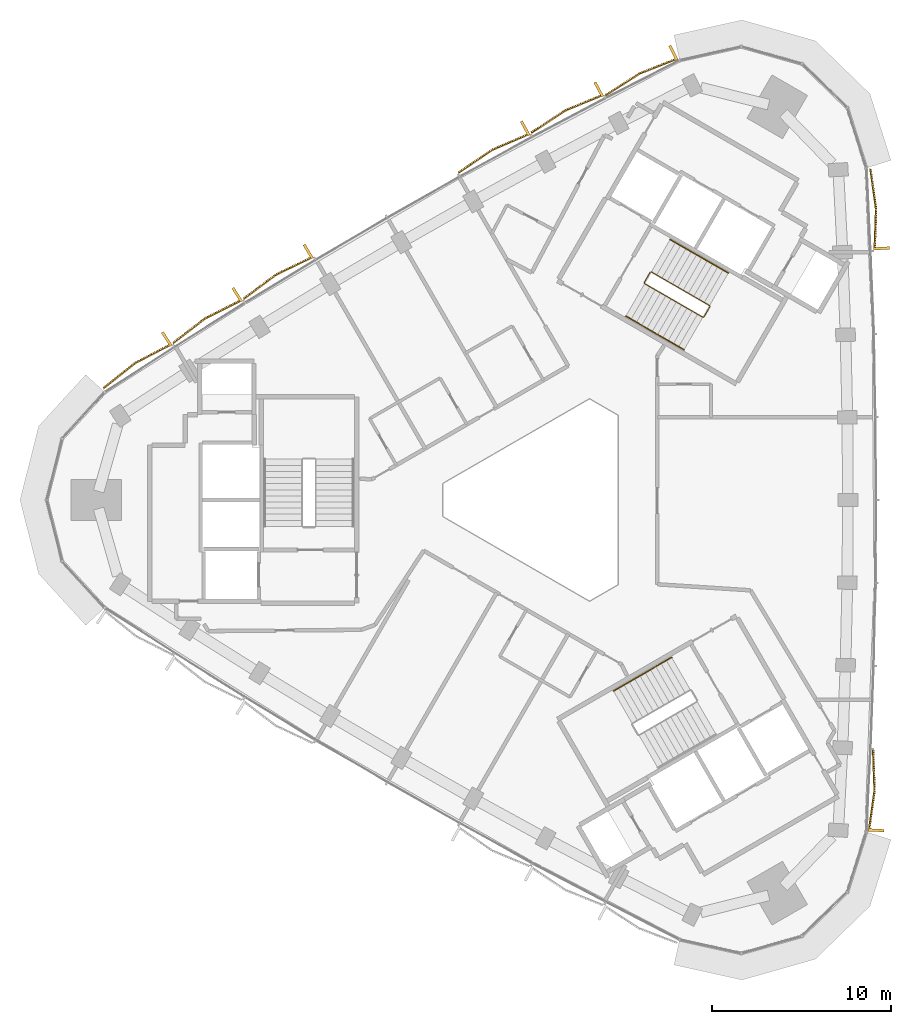
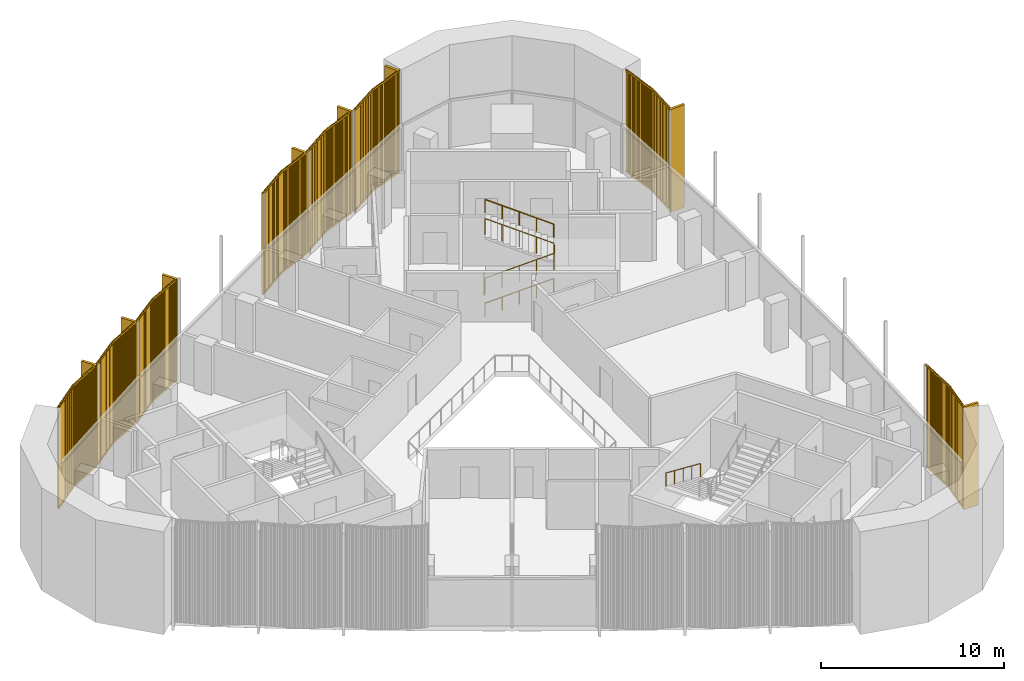
# One storey, part 13 of 14: 8 coverings, 4 railings.
"""IFC4 building model written with IfcOpenShell, lengths in metres."""

import ifcopenshell
import ifcopenshell.guid

model = None  # the IFC model being written
_history = None  # IfcOwnerHistory: only IFC2X3 demands one
_inside = {}  # id of a spatial element -> (the spatial element, [elements in it])
_under = {}  # id of a project, library or spatial element -> (it, [spatial elements below it])
_declared = {}  # id of a project -> (the project, [libraries it declares])
_typed = {}  # id of a type object -> (the type object, [elements of that type])
_made_of = {}  # id of a material, layer set ... -> (it, [elements and type objects made of it])


def new_model(schema):
    """Start an empty IFC model of exactly this schema.

    Asked for "IFC4X3", IfcOpenShell would pick the latest addendum, in which some entities
    have other attributes; the version numbers below select the first issue.
    IFC2X3 requires an IfcOwnerHistory on every rooted entity: one is made here for all.
    """
    global model, _history
    if schema == "IFC4X3":
        model = ifcopenshell.file(schema_version=(4, 3, 0, 0))
    else:
        model = ifcopenshell.file(schema=schema)
    _inside.clear()
    _under.clear()
    _declared.clear()
    _typed.clear()
    _made_of.clear()
    _history = None
    if model.schema == "IFC2X3":
        org = make("IfcOrganization", Name="unknown")
        user = make(
            "IfcPersonAndOrganization",
            ThePerson=make("IfcPerson", FamilyName="unknown"),
            TheOrganization=org,
        )
        app = make(
            "IfcApplication",
            ApplicationDeveloper=org,
            Version="unknown",
            ApplicationFullName="unknown",
            ApplicationIdentifier="unknown",
        )
        _history = make(
            "IfcOwnerHistory",
            OwningUser=user,
            OwningApplication=app,
            ChangeAction="ADDED",
            CreationDate=0,
        )
    return model


def make(cls, **values):
    """One entity of the class cls with the attributes given. An attribute that is None is left unset."""
    return model.create_entity(
        cls, **{name: value for name, value in values.items() if value is not None}
    )


def rooted(cls, **values):
    """An entity with a GlobalId (a new one), such as an element, a storey or a relation."""
    return make(cls, GlobalId=ifcopenshell.guid.new(), OwnerHistory=_history, **values)


def si_unit(unit_type, name, prefix=None):
    """IfcSIUnit, for example si_unit("LENGTHUNIT", "METRE", prefix="MILLI")."""
    return make("IfcSIUnit", UnitType=unit_type, Prefix=prefix, Name=name)


def assignment(units):
    """IfcUnitAssignment: the units of a project."""
    return None if units is None else make("IfcUnitAssignment", Units=units)


def point(xyz):
    """IfcCartesianPoint."""
    return None if xyz is None else make("IfcCartesianPoint", Coordinates=xyz)


def direction(xyz):
    """IfcDirection."""
    return None if xyz is None else make("IfcDirection", DirectionRatios=xyz)


def frame(location, z_axis=None, x_axis=None):
    """IfcAxis2Placement3D, a coordinate frame: its origin and axes. An axis left out is left unset."""
    return make(
        "IfcAxis2Placement3D",
        Location=point(location),
        Axis=direction(z_axis),
        RefDirection=direction(x_axis),
    )


def frame_2d(location, x_axis=None):
    """IfcAxis2Placement2D, a coordinate frame in the plane: its origin and x axis."""
    return make(
        "IfcAxis2Placement2D", Location=point(location), RefDirection=direction(x_axis)
    )


def origin():
    """The frame at (0, 0, 0) with its axes left unset."""
    return frame((0.0, 0.0, 0.0))


def origin_2d():
    """The frame at (0, 0) in the plane with its x axis left unset."""
    return frame_2d((0.0, 0.0))


def place(relative_to, where):
    """IfcLocalPlacement: puts the frame where relative to a parent placement (None: the world)."""
    return make(
        "IfcLocalPlacement", PlacementRelTo=relative_to, RelativePlacement=where
    )


def context(
    kind, dimensions, precision=None, world=None, true_north=None, identifier=None
):
    """IfcGeometricRepresentationContext, for example the 3D "Model" context."""
    return make(
        "IfcGeometricRepresentationContext",
        ContextIdentifier=identifier,
        ContextType=kind,
        CoordinateSpaceDimension=dimensions,
        Precision=precision,
        WorldCoordinateSystem=world,
        TrueNorth=true_north,
    )


def subcontext(parent, identifier, kind, view, scale=None):
    """IfcGeometricRepresentationSubContext, for example "Body" below "Model"."""
    return make(
        "IfcGeometricRepresentationSubContext",
        ContextIdentifier=identifier,
        ContextType=kind,
        ParentContext=parent,
        TargetScale=scale,
        TargetView=view,
    )


def project(units=None, contexts=None):
    """IfcProject with its units and contexts."""
    return rooted(
        "IfcProject",
        Name="project",
        RepresentationContexts=contexts,
        UnitsInContext=assignment(units),
    )


def spatial(cls, under=None, at=None, **own):
    """A site, building, storey or space (cls), placed at a placement, below another one or the project."""
    s = rooted(cls, ObjectPlacement=at, **own)
    if under is not None:
        _under.setdefault(under.id(), (under, []))[1].append(s)
    return s


def profile(cls, at=None, kind="AREA", **sizes):
    """A parametric profile (cls). Its sizes go by their IFC names, for example OverallWidth=200.0."""
    return make(cls, ProfileType=kind, Position=at, **sizes)


def rectangle(**sizes):
    """IfcRectangleProfileDef."""
    return profile("IfcRectangleProfileDef", **sizes)


def circle(**sizes):
    """IfcCircleProfileDef."""
    return profile("IfcCircleProfileDef", **sizes)


def extrude(swept, where, along, depth):
    """IfcExtrudedAreaSolid: the profile swept, set in the frame where, extruded along a direction by depth."""
    return make(
        "IfcExtrudedAreaSolid",
        SweptArea=swept,
        Position=where,
        ExtrudedDirection=direction(along),
        Depth=depth,
    )


def shape(context_of_items, identifier, shape_type, items):
    """IfcShapeRepresentation: the items that make up one representation, for example the "Body"."""
    return make(
        "IfcShapeRepresentation",
        ContextOfItems=context_of_items,
        RepresentationIdentifier=identifier,
        RepresentationType=shape_type,
        Items=items,
    )


def source(mapping_origin, context_of_items, identifier, shape_type, items):
    """IfcRepresentationMap: a shape defined once, which mapped items show again and again."""
    return make(
        "IfcRepresentationMap",
        MappingOrigin=mapping_origin,
        MappedRepresentation=shape(context_of_items, identifier, shape_type, items),
    )


def transform(
    local_origin,
    x_axis=None,
    y_axis=None,
    z_axis=None,
    scale=None,
    scale2=None,
    scale3=None,
    uniform=True,
):
    """IfcCartesianTransformationOperator3D, or its non-uniform kind. x_axis, y_axis, z_axis: its Axis1, 2, 3."""
    if uniform:
        return make(
            "IfcCartesianTransformationOperator3D",
            Axis1=direction(x_axis),
            Axis2=direction(y_axis),
            LocalOrigin=point(local_origin),
            Scale=scale,
            Axis3=direction(z_axis),
        )
    return make(
        "IfcCartesianTransformationOperator3DnonUniform",
        Axis1=direction(x_axis),
        Axis2=direction(y_axis),
        LocalOrigin=point(local_origin),
        Scale=scale,
        Axis3=direction(z_axis),
        Scale2=scale2,
        Scale3=scale3,
    )


def mapped(mapping_source, mapping_target):
    """IfcMappedItem: shows the shape of a source again, moved by a transform."""
    return make(
        "IfcMappedItem", MappingSource=mapping_source, MappingTarget=mapping_target
    )


def material(Name=None, Category=None):
    """IfcMaterial."""
    return make("IfcMaterial", Name=Name, Category=Category)


def made_of(thing, what):
    """Note that an element or type object is made of a material, layer set ...; save() writes the relation."""
    if what is not None:
        _made_of.setdefault(what.id(), (what, []))[1].append(thing)
    return thing


def type_object(cls, material=None, **own):
    """A type object (cls), such as IfcWallType, which elements share."""
    return made_of(rooted(cls, **own), material)


def element(
    cls,
    number,
    at=None,
    inside=None,
    cuts=None,
    type_object=None,
    material=None,
    context=None,
    identifier="Body",
    shape_type=None,
    held_by="IfcProductDefinitionShape",
    body=None,
    shapes=None,
    **own,
):
    """One element of the class cls, such as IfcWall. Its Tag is "e" and its number.

    at: its placement. inside: the storey or other place that contains it. cuts: it is an
    opening in that element (IfcRelVoidsElement). A single representation is given by context,
    identifier, shape_type and body (its items); several are given by shapes. held_by: the class
    of the entity that holds the representations. save() writes the other relations.
    """
    e = rooted(cls, Tag="e%d" % number, ObjectPlacement=at, **own)
    if body is not None:
        shapes = [shape(context, identifier, shape_type, body)]
    if shapes is not None:
        e.Representation = make(held_by, Representations=shapes)
    if inside is not None:
        _inside.setdefault(inside.id(), (inside, []))[1].append(e)
    if cuts is not None:
        rooted(
            "IfcRelVoidsElement", RelatingBuildingElement=cuts, RelatedOpeningElement=e
        )
    if type_object is not None:
        _typed.setdefault(type_object.id(), (type_object, []))[1].append(e)
    return made_of(e, material)


def aggregate(whole, parts):
    """IfcRelAggregates: a whole, such as a stair, and the parts it consists of."""
    return rooted("IfcRelAggregates", RelatingObject=whole, RelatedObjects=parts)


def save(model, path):
    """Write the relations noted so far, then the file.

    IfcRelAggregates (storeys below a building ...), IfcRelContainedInSpatialStructure (elements
    in a storey), IfcRelDefinesByType, IfcRelAssociatesMaterial and IfcRelDeclares: one each for
    every whole, place, type object, material and project.
    """
    for whole, parts in _under.values():
        aggregate(whole, parts)
    for where, things in _inside.values():
        rooted(
            "IfcRelContainedInSpatialStructure",
            RelatedElements=things,
            RelatingStructure=where,
        )
    for kind, things in _typed.values():
        rooted("IfcRelDefinesByType", RelatedObjects=things, RelatingType=kind)
    for what, things in _made_of.values():
        rooted("IfcRelAssociatesMaterial", RelatedObjects=things, RelatingMaterial=what)
    for by, libraries in _declared.values():
        rooted("IfcRelDeclares", RelatingContext=by, RelatedDefinitions=libraries)
    model.write(path)


model = new_model("IFC4")

# Units and contexts
model_context = context("Model", 3, precision=1e-05, world=origin(), true_north=direction((0.0, 1.0)))
body_context = subcontext(model_context, "Body", "Model", "MODEL_VIEW")
ifc_project = project(units=[si_unit("LENGTHUNIT", "METRE"), si_unit("AREAUNIT", "SQUARE_METRE"), si_unit("VOLUMEUNIT", "CUBIC_METRE"), si_unit("PLANEANGLEUNIT", "RADIAN"), si_unit("MASSUNIT", "GRAM", prefix="KILO")], contexts=[model_context])

# Site, building, storey
site_placement = place(None, origin())
site = spatial("IfcSite", under=ifc_project, at=site_placement, CompositionType="ELEMENT")
building_placement = place(site_placement, origin())
building = spatial("IfcBuilding", under=site, at=building_placement, Name="Tamra Quay Hotel Tower", CompositionType="ELEMENT")
storey_placement = place(building_placement, frame((0.0, 0.0, 221.39990234375)))
storey = spatial("IfcBuildingStorey", under=building, at=storey_placement, Name="L55", CompositionType="ELEMENT", Elevation=221.39990234375)

# Railings
ifc_material_1 = material(Name="Stair guard 1100")
railing_type_1 = type_object("IfcRailingType", Name="Stair guard 1100", PredefinedType="GUARDRAIL", material=ifc_material_1)
railing_1_placement = place(storey_placement, frame((5.595458984375, 12.751953125, 0.0)))
element("IfcRailing", 1, at=railing_1_placement, inside=storey, type_object=railing_type_1, Name="GR", PredefinedType="GUARDRAIL", context=body_context, shape_type="SweptSolid", body=[
    extrude(circle(Radius=0.02392578125, at=origin_2d()), frame((0.0, 0.0, 1.076171875), z_axis=(-0.499765215335, -0.866160914346, 0.0), x_axis=(0.866160914346, -0.499765215335, 0.0)), (0.0, 0.0, 1.0), 0.658935546875),
    extrude(circle(Radius=0.02392578125, at=origin_2d()), frame((-0.329345703125, -0.57080078125, 1.076171875), z_axis=(0.110378772244, -0.410609032747, 0.905105932399), x_axis=(0.965715946433, 0.259601060869, 0.0)), (0.0, 0.0, 1.0), 0.165771484375),
    extrude(circle(Radius=0.02392578125, at=origin_2d()), frame((-0.31103515625, -0.638916015625, 1.22607421875), z_axis=(0.793078462799, -0.457933869594, 0.401650498471), x_axis=(0.500040788363, 0.866001853331, 0.0)), (0.0, 0.0, 1.0), 4.10791015625),
    extrude(circle(Radius=0.02392578125, at=origin_2d()), frame((2.94677734375, -2.52001953125, 2.8759765625), z_axis=(0.965948051503, 0.258736085224, 0.0), x_axis=(-0.258736085224, 0.965948051503, 0.0)), (0.0, 0.0, 1.0), 0.07080078125),
    extrude(circle(Radius=0.02392578125, at=origin_2d()), frame((3.01513671875, -2.501708984375, 2.8759765625), z_axis=(0.500043078269, 0.866000531106, 0.0), x_axis=(-0.866000531106, 0.500043078269, 0.0)), (0.0, 0.0, 1.0), 0.6591796875),
    extrude(circle(Radius=0.02392578125, at=origin_2d()), frame((3.3447265625, -1.930908203125, 2.8759765625), z_axis=(-0.110378772244, 0.410609032747, 0.905105932399), x_axis=(-0.965715946433, -0.259601060869, 0.0)), (0.0, 0.0, 1.0), 0.165771484375),
    extrude(circle(Radius=0.02392578125, at=origin_2d()), frame((3.326416015625, -1.86279296875, 3.0263671875), z_axis=(-0.793100512587, 0.457912285461, 0.401631567183), x_axis=(-0.500012686397, -0.866018079166, 0.0)), (0.0, 0.0, 1.0), 4.10791015625),
    extrude(circle(Radius=0.02099609375, at=origin_2d()), origin(), (0.0, 0.0, 1.0), 1.052001953125),
    extrude(circle(Radius=0.02099609375, at=origin_2d()), frame((-0.329345703125, -0.57080078125, 0.0)), (0.0, 0.0, 1.0), 1.052001953125),
    extrude(circle(Radius=0.02099609375, at=origin_2d()), frame((-0.31103515625, -0.638916015625, 0.150146484375)), (0.0, 0.0, 1.0), 1.052001953125),
    extrude(circle(Radius=0.02099609375, at=origin_2d()), frame((0.50341796875, -1.109130859375, 0.5625)), (0.0, 0.0, 1.0), 1.052001953125),
    extrude(circle(Radius=0.02099609375, at=origin_2d()), frame((1.31787109375, -1.57958984375, 0.97509765625)), (0.0, 0.0, 1.0), 1.052001953125),
    extrude(circle(Radius=0.02099609375, at=origin_2d()), frame((2.13232421875, -2.0498046875, 1.3876953125)), (0.0, 0.0, 1.0), 1.052001953125),
    extrude(circle(Radius=0.02099609375, at=origin_2d()), frame((2.94677734375, -2.52001953125, 1.800048828125)), (0.0, 0.0, 1.0), 1.052001953125),
    extrude(circle(Radius=0.02099609375, at=origin_2d()), frame((3.01513671875, -2.501708984375, 1.800048828125)), (0.0, 0.0, 1.0), 1.052001953125),
    extrude(circle(Radius=0.02099609375, at=origin_2d()), frame((3.3447265625, -1.930908203125, 1.800048828125)), (0.0, 0.0, 1.0), 1.052001953125),
    extrude(circle(Radius=0.02099609375, at=origin_2d()), frame((3.326416015625, -1.86279296875, 1.9501953125)), (0.0, 0.0, 1.0), 1.052001953125),
    extrude(circle(Radius=0.02099609375, at=origin_2d()), frame((2.511962890625, -1.392578125, 2.36279296875)), (0.0, 0.0, 1.0), 1.052001953125),
    extrude(circle(Radius=0.02099609375, at=origin_2d()), frame((1.697265625, -0.92236328125, 2.775146484375)), (0.0, 0.0, 1.0), 1.052001953125),
    extrude(circle(Radius=0.02099609375, at=origin_2d()), frame((0.8828125, -0.451904296875, 3.1875)), (0.0, 0.0, 1.0), 1.052001953125),
    extrude(circle(Radius=0.02099609375, at=origin_2d()), frame((0.068359375, 0.018310546875, 3.60009765625)), (0.0, 0.0, 1.0), 1.052001953125),
])
ifc_material_2 = material(Name="Stair handrail 900")
railing_type_2 = type_object("IfcRailingType", Name="Stair handrail 900", PredefinedType="HANDRAIL", material=ifc_material_2)
railing_2_placement = place(storey_placement, frame((4.234375, 10.294189453125, 0.150146484375)))
element("IfcRailing", 2, at=railing_2_placement, inside=storey, type_object=railing_type_2, Name="HR", PredefinedType="HANDRAIL", context=body_context, shape_type="SweptSolid", body=[
    extrude(circle(Radius=0.02392578125, at=origin_2d()), frame((0.0, 0.0, 0.8759765625), z_axis=(0.793122095483, -0.45786531462, 0.401642496911), x_axis=(0.499964013922, 0.86604617936, 0.0)), (0.0, 0.0, 1.0), 4.10791015625),
    extrude(circle(Radius=0.02099609375, at=origin_2d()), origin(), (0.0, 0.0, 1.0), 0.851806640625),
    extrude(circle(Radius=0.02099609375, at=origin_2d()), frame((0.814453125, -0.47021484375, 0.41259765625)), (0.0, 0.0, 1.0), 0.851806640625),
    extrude(circle(Radius=0.02099609375, at=origin_2d()), frame((1.62890625, -0.9404296875, 0.824951171875)), (0.0, 0.0, 1.0), 0.851806640625),
    extrude(circle(Radius=0.02099609375, at=origin_2d()), frame((2.443603515625, -1.41064453125, 1.2373046875)), (0.0, 0.0, 1.0), 0.851806640625),
    extrude(circle(Radius=0.02099609375, at=origin_2d()), frame((3.258056640625, -1.880859375, 1.64990234375)), (0.0, 0.0, 1.0), 0.851806640625),
])
railing_3_placement = place(storey_placement, frame((9.971923828125, 12.7080078125, 1.9501953125)))
element("IfcRailing", 3, at=railing_3_placement, inside=storey, type_object=railing_type_2, Name="HR", PredefinedType="HANDRAIL", context=body_context, shape_type="SweptSolid", body=[
    extrude(circle(Radius=0.02392578125, at=origin_2d()), frame((0.0, 0.0, 0.8759765625), z_axis=(-0.793122095483, 0.45786531462, 0.401642496911), x_axis=(-0.499964013922, -0.86604617936, 0.0)), (0.0, 0.0, 1.0), 4.10791015625),
    extrude(circle(Radius=0.02099609375, at=origin_2d()), origin(), (0.0, 0.0, 1.0), 0.851806640625),
    extrude(circle(Radius=0.02099609375, at=origin_2d()), frame((-0.814453125, 0.47021484375, 0.41259765625)), (0.0, 0.0, 1.0), 0.851806640625),
    extrude(circle(Radius=0.02099609375, at=origin_2d()), frame((-1.62890625, 0.9404296875, 0.824951171875)), (0.0, 0.0, 1.0), 0.851806640625),
    extrude(circle(Radius=0.02099609375, at=origin_2d()), frame((-2.443603515625, 1.41064453125, 1.2373046875)), (0.0, 0.0, 1.0), 0.851806640625),
    extrude(circle(Radius=0.02099609375, at=origin_2d()), frame((-3.258056640625, 1.880859375, 1.64990234375)), (0.0, 0.0, 1.0), 0.851806640625),
])
railing_4_placement = place(storey_placement, frame((6.7978515625, -8.814208984375, 0.150146484375)))
element("IfcRailing", 4, at=railing_4_placement, inside=storey, type_object=railing_type_2, Name="HR", PredefinedType="HANDRAIL", context=body_context, shape_type="SweptSolid", body=[
    extrude(circle(Radius=0.02392578125, at=origin_2d()), frame((0.0, 0.0, 0.8759765625), z_axis=(-0.79310004713, -0.457886897714, 0.401661429744), x_axis=(0.499992114976, -0.866029956157, 0.0)), (0.0, 0.0, 1.0), 4.107666015625),
    extrude(circle(Radius=0.02099609375, at=origin_2d()), origin(), (0.0, 0.0, 1.0), 0.851806640625),
    extrude(circle(Radius=0.02099609375, at=origin_2d()), frame((-0.814453125, -0.47021484375, 0.41259765625)), (0.0, 0.0, 1.0), 0.851806640625),
    extrude(circle(Radius=0.02099609375, at=origin_2d()), frame((-1.62890625, -0.9404296875, 0.824951171875)), (0.0, 0.0, 1.0), 0.851806640625),
    extrude(circle(Radius=0.02099609375, at=origin_2d()), frame((-2.443359375, -1.41064453125, 1.2373046875)), (0.0, 0.0, 1.0), 0.851806640625),
    extrude(circle(Radius=0.02099609375, at=origin_2d()), frame((-3.2578125, -1.880859375, 1.64990234375)), (0.0, 0.0, 1.0), 0.851806640625),
])

# Coverings
ifc_material_3 = material(Name="Terracotta baguette extruded", Category="masonry")
covering_type_1 = type_object("IfcCoveringType", Name="BAGUETTE SCREEN E-V H6850", PredefinedType="USERDEFINED", material=ifc_material_3)
shared_shape_1 = source(origin(), body_context, "Body", "SweptSolid", [
    extrude(rectangle(XDim=2.291259765625, YDim=0.06005859375, at=frame_2d((1.1455078125, 0.030029296875))), frame((-2.287841796875, -0.057861328125, -0.1201171875), z_axis=(0.0, 0.0, 1.0), x_axis=(0.996194698092, -0.087155742748, 0.0)), (0.0, 0.0, 1.0), 0.1201171875),
    extrude(rectangle(XDim=2.291259765625, YDim=0.06005859375, at=frame_2d((1.1455078125, 0.030029296875))), frame((-2.287841796875, -0.057861328125, -6.85009765625), z_axis=(0.0, 0.0, 1.0), x_axis=(0.996194698092, -0.087155742748, 0.0)), (0.0, 0.0, 1.0), 0.1201171875),
    extrude(rectangle(XDim=0.070068359375, YDim=0.10009765625, at=frame_2d((0.03515625, 0.050048828125))), frame((-2.267822265625, -0.13232421875, -6.7900390625)), (0.0, 0.0, 1.0), 6.72998046875),
    extrude(rectangle(XDim=0.070068359375, YDim=0.10009765625, at=frame_2d((0.03515625, 0.050048828125))), frame((-2.168701171875, -0.14111328125, -6.7900390625)), (0.0, 0.0, 1.0), 6.72998046875),
    extrude(rectangle(XDim=0.070068359375, YDim=0.10009765625, at=frame_2d((0.03515625, 0.050048828125))), frame((-2.0693359375, -0.149658203125, -6.7900390625)), (0.0, 0.0, 1.0), 6.72998046875),
    extrude(rectangle(XDim=0.070068359375, YDim=0.10009765625, at=frame_2d((0.03515625, 0.050048828125))), frame((-1.97021484375, -0.158447265625, -6.7900390625)), (0.0, 0.0, 1.0), 6.72998046875),
    extrude(rectangle(XDim=0.070068359375, YDim=0.10009765625, at=frame_2d((0.03515625, 0.050048828125))), frame((-1.870849609375, -0.1669921875, -6.7900390625)), (0.0, 0.0, 1.0), 6.72998046875),
    extrude(rectangle(XDim=0.070068359375, YDim=0.10009765625, at=frame_2d((0.03515625, 0.050048828125))), frame((-1.771728515625, -0.17578125, -6.7900390625)), (0.0, 0.0, 1.0), 6.72998046875),
    extrude(rectangle(XDim=0.070068359375, YDim=0.10009765625, at=frame_2d((0.03515625, 0.050048828125))), frame((-1.67236328125, -0.184326171875, -6.7900390625)), (0.0, 0.0, 1.0), 6.72998046875),
    extrude(rectangle(XDim=0.070068359375, YDim=0.10009765625, at=frame_2d((0.03515625, 0.050048828125))), frame((-1.5732421875, -0.193115234375, -6.7900390625)), (0.0, 0.0, 1.0), 6.72998046875),
    extrude(rectangle(XDim=0.070068359375, YDim=0.10009765625, at=frame_2d((0.03515625, 0.050048828125))), frame((-1.473876953125, -0.201904296875, -6.7900390625)), (0.0, 0.0, 1.0), 6.72998046875),
    extrude(rectangle(XDim=0.070068359375, YDim=0.10009765625, at=frame_2d((0.03515625, 0.050048828125))), frame((-1.374755859375, -0.21044921875, -6.7900390625)), (0.0, 0.0, 1.0), 6.72998046875),
    extrude(rectangle(XDim=0.070068359375, YDim=0.10009765625, at=frame_2d((0.03515625, 0.050048828125))), frame((-1.275390625, -0.21923828125, -6.7900390625)), (0.0, 0.0, 1.0), 6.72998046875),
    extrude(rectangle(XDim=0.070068359375, YDim=0.10009765625, at=frame_2d((0.03515625, 0.050048828125))), frame((-1.17626953125, -0.227783203125, -6.7900390625)), (0.0, 0.0, 1.0), 6.72998046875),
    extrude(rectangle(XDim=0.070068359375, YDim=0.10009765625, at=frame_2d((0.03515625, 0.050048828125))), frame((-1.076904296875, -0.236572265625, -6.7900390625)), (0.0, 0.0, 1.0), 6.72998046875),
    extrude(rectangle(XDim=0.070068359375, YDim=0.10009765625, at=frame_2d((0.03515625, 0.050048828125))), frame((-0.977783203125, -0.2451171875, -6.7900390625)), (0.0, 0.0, 1.0), 6.72998046875),
    extrude(rectangle(XDim=0.070068359375, YDim=0.10009765625, at=frame_2d((0.03515625, 0.050048828125))), frame((-0.87841796875, -0.25390625, -6.7900390625)), (0.0, 0.0, 1.0), 6.72998046875),
    extrude(rectangle(XDim=0.070068359375, YDim=0.10009765625, at=frame_2d((0.03515625, 0.050048828125))), frame((-0.779296875, -0.2626953125, -6.7900390625)), (0.0, 0.0, 1.0), 6.72998046875),
    extrude(rectangle(XDim=0.070068359375, YDim=0.10009765625, at=frame_2d((0.03515625, 0.050048828125))), frame((-0.679931640625, -0.271240234375, -6.7900390625)), (0.0, 0.0, 1.0), 6.72998046875),
    extrude(rectangle(XDim=0.070068359375, YDim=0.10009765625, at=frame_2d((0.03515625, 0.050048828125))), frame((-0.580810546875, -0.280029296875, -6.7900390625)), (0.0, 0.0, 1.0), 6.72998046875),
    extrude(rectangle(XDim=0.070068359375, YDim=0.10009765625, at=frame_2d((0.03515625, 0.050048828125))), frame((-0.481689453125, -0.28857421875, -6.7900390625)), (0.0, 0.0, 1.0), 6.72998046875),
    extrude(rectangle(XDim=0.070068359375, YDim=0.10009765625, at=frame_2d((0.03515625, 0.050048828125))), frame((-0.38232421875, -0.29736328125, -6.7900390625)), (0.0, 0.0, 1.0), 6.72998046875),
    extrude(rectangle(XDim=0.070068359375, YDim=0.10009765625, at=frame_2d((0.03515625, 0.050048828125))), frame((-0.283203125, -0.305908203125, -6.7900390625)), (0.0, 0.0, 1.0), 6.72998046875),
    extrude(rectangle(XDim=0.070068359375, YDim=0.10009765625, at=frame_2d((0.03515625, 0.050048828125))), frame((-0.183837890625, -0.314697265625, -6.7900390625)), (0.0, 0.0, 1.0), 6.72998046875),
    extrude(rectangle(XDim=0.070068359375, YDim=0.10009765625, at=frame_2d((0.03515625, 0.050048828125))), frame((-0.084716796875, -0.3232421875, -6.7900390625)), (0.0, 0.0, 1.0), 6.72998046875),
    extrude(rectangle(XDim=2.291259765625, YDim=0.06005859375, at=frame_2d((1.1455078125, 0.030029296875))), frame((0.005126953125, -0.257568359375, -0.1201171875), z_axis=(0.0, 0.0, 1.0), x_axis=(0.996194698092, 0.087155742748, 0.0)), (0.0, 0.0, 1.0), 0.1201171875),
    extrude(rectangle(XDim=2.291259765625, YDim=0.06005859375, at=frame_2d((1.1455078125, 0.030029296875))), frame((0.005126953125, -0.257568359375, -6.85009765625), z_axis=(0.0, 0.0, 1.0), x_axis=(0.996194698092, 0.087155742748, 0.0)), (0.0, 0.0, 1.0), 0.1201171875),
    extrude(rectangle(XDim=0.070068359375, YDim=0.10009765625, at=frame_2d((0.03515625, 0.050048828125))), frame((0.0146484375, -0.3232421875, -6.7900390625)), (0.0, 0.0, 1.0), 6.72998046875),
    extrude(rectangle(XDim=0.070068359375, YDim=0.10009765625, at=frame_2d((0.03515625, 0.050048828125))), frame((0.11376953125, -0.314697265625, -6.7900390625)), (0.0, 0.0, 1.0), 6.72998046875),
    extrude(rectangle(XDim=0.070068359375, YDim=0.10009765625, at=frame_2d((0.03515625, 0.050048828125))), frame((0.213134765625, -0.305908203125, -6.7900390625)), (0.0, 0.0, 1.0), 6.72998046875),
    extrude(rectangle(XDim=0.070068359375, YDim=0.10009765625, at=frame_2d((0.03515625, 0.050048828125))), frame((0.312255859375, -0.29736328125, -6.7900390625)), (0.0, 0.0, 1.0), 6.72998046875),
    extrude(rectangle(XDim=0.070068359375, YDim=0.10009765625, at=frame_2d((0.03515625, 0.050048828125))), frame((0.41162109375, -0.28857421875, -6.7900390625)), (0.0, 0.0, 1.0), 6.72998046875),
    extrude(rectangle(XDim=0.070068359375, YDim=0.10009765625, at=frame_2d((0.03515625, 0.050048828125))), frame((0.5107421875, -0.280029296875, -6.7900390625)), (0.0, 0.0, 1.0), 6.72998046875),
    extrude(rectangle(XDim=0.070068359375, YDim=0.10009765625, at=frame_2d((0.03515625, 0.050048828125))), frame((0.610107421875, -0.271240234375, -6.7900390625)), (0.0, 0.0, 1.0), 6.72998046875),
    extrude(rectangle(XDim=0.070068359375, YDim=0.10009765625, at=frame_2d((0.03515625, 0.050048828125))), frame((0.709228515625, -0.2626953125, -6.7900390625)), (0.0, 0.0, 1.0), 6.72998046875),
    extrude(rectangle(XDim=0.070068359375, YDim=0.10009765625, at=frame_2d((0.03515625, 0.050048828125))), frame((0.80859375, -0.25390625, -6.7900390625)), (0.0, 0.0, 1.0), 6.72998046875),
    extrude(rectangle(XDim=0.070068359375, YDim=0.10009765625, at=frame_2d((0.03515625, 0.050048828125))), frame((0.90771484375, -0.2451171875, -6.7900390625)), (0.0, 0.0, 1.0), 6.72998046875),
    extrude(rectangle(XDim=0.070068359375, YDim=0.10009765625, at=frame_2d((0.03515625, 0.050048828125))), frame((1.007080078125, -0.236572265625, -6.7900390625)), (0.0, 0.0, 1.0), 6.72998046875),
    extrude(rectangle(XDim=0.070068359375, YDim=0.10009765625, at=frame_2d((0.03515625, 0.050048828125))), frame((1.106201171875, -0.227783203125, -6.7900390625)), (0.0, 0.0, 1.0), 6.72998046875),
    extrude(rectangle(XDim=0.070068359375, YDim=0.10009765625, at=frame_2d((0.03515625, 0.050048828125))), frame((1.20556640625, -0.21923828125, -6.7900390625)), (0.0, 0.0, 1.0), 6.72998046875),
    extrude(rectangle(XDim=0.070068359375, YDim=0.10009765625, at=frame_2d((0.03515625, 0.050048828125))), frame((1.3046875, -0.21044921875, -6.7900390625)), (0.0, 0.0, 1.0), 6.72998046875),
    extrude(rectangle(XDim=0.070068359375, YDim=0.10009765625, at=frame_2d((0.03515625, 0.050048828125))), frame((1.404052734375, -0.201904296875, -6.7900390625)), (0.0, 0.0, 1.0), 6.72998046875),
    extrude(rectangle(XDim=0.070068359375, YDim=0.10009765625, at=frame_2d((0.03515625, 0.050048828125))), frame((1.503173828125, -0.193115234375, -6.7900390625)), (0.0, 0.0, 1.0), 6.72998046875),
    extrude(rectangle(XDim=0.070068359375, YDim=0.10009765625, at=frame_2d((0.03515625, 0.050048828125))), frame((1.6025390625, -0.184326171875, -6.7900390625)), (0.0, 0.0, 1.0), 6.72998046875),
    extrude(rectangle(XDim=0.070068359375, YDim=0.10009765625, at=frame_2d((0.03515625, 0.050048828125))), frame((1.70166015625, -0.17578125, -6.7900390625)), (0.0, 0.0, 1.0), 6.72998046875),
    extrude(rectangle(XDim=0.070068359375, YDim=0.10009765625, at=frame_2d((0.03515625, 0.050048828125))), frame((1.801025390625, -0.1669921875, -6.7900390625)), (0.0, 0.0, 1.0), 6.72998046875),
    extrude(rectangle(XDim=0.070068359375, YDim=0.10009765625, at=frame_2d((0.03515625, 0.050048828125))), frame((1.900146484375, -0.158447265625, -6.7900390625)), (0.0, 0.0, 1.0), 6.72998046875),
    extrude(rectangle(XDim=0.070068359375, YDim=0.10009765625, at=frame_2d((0.03515625, 0.050048828125))), frame((1.99951171875, -0.149658203125, -6.7900390625)), (0.0, 0.0, 1.0), 6.72998046875),
    extrude(rectangle(XDim=0.070068359375, YDim=0.10009765625, at=frame_2d((0.03515625, 0.050048828125))), frame((2.0986328125, -0.14111328125, -6.7900390625)), (0.0, 0.0, 1.0), 6.72998046875),
    extrude(rectangle(XDim=0.070068359375, YDim=0.10009765625, at=frame_2d((0.03515625, 0.050048828125))), frame((2.197998046875, -0.13232421875, -6.7900390625)), (0.0, 0.0, 1.0), 6.72998046875),
    extrude(rectangle(XDim=0.14990234375, YDim=0.902099609375, at=frame_2d((0.074951171875, 0.451171875))), frame((-2.282470703125, -0.89990234375, -6.85009765625)), (0.0, 0.0, 1.0), 6.85009765625),
])
for number, where, z_axis, x_axis, name in (
    (5, (17.899169921875, -16.26611328125, 6.85009765625), (0.0, 0.0, 1.0), (0.051403368539, 0.998677972974, 0.0), "Baguette screen L55.E.f00"),
    (6, (17.984130859375, 16.2705078125, 6.85009765625), (0.0, 0.0, 1.0), (-0.051403368539, 0.998677972974, 0.0), "Baguette screen L55.E.f07"),
):
    element("IfcCovering", number, at=place(storey_placement, frame(where, z_axis=z_axis, x_axis=x_axis)), inside=storey, type_object=covering_type_1, Name=name, ObjectType="BAGUETTE SCREEN", PredefinedType="USERDEFINED", context=body_context, shape_type="MappedRepresentation", body=[
        mapped(shared_shape_1, transform((0.0, 0.0, 0.0), scale=1.0)),
    ])
covering_type_2 = type_object("IfcCoveringType", Name="BAGUETTE SCREEN NW-V H6850", PredefinedType="USERDEFINED", material=ifc_material_3)
shared_shape_2 = source(origin(), body_context, "Body", "SweptSolid", [
    extrude(rectangle(XDim=2.29296875, YDim=0.06005859375, at=frame_2d((1.146484375, 0.030029296875))), frame((-2.288330078125, -0.0576171875, -0.1201171875), z_axis=(0.0, 0.0, 1.0), x_axis=(0.995396198367, -0.09584575252, 0.0)), (0.0, 0.0, 1.0), 0.1201171875),
    extrude(rectangle(XDim=2.29296875, YDim=0.06005859375, at=frame_2d((1.146484375, 0.030029296875))), frame((-2.288330078125, -0.0576171875, -6.85009765625), z_axis=(0.0, 0.0, 1.0), x_axis=(0.995396198367, -0.09584575252, 0.0)), (0.0, 0.0, 1.0), 0.1201171875),
    extrude(rectangle(XDim=0.070068359375, YDim=0.10009765625, at=frame_2d((0.03515625, 0.050048828125))), frame((-2.267822265625, -0.1328125, -6.7900390625)), (0.0, 0.0, 1.0), 6.72998046875),
    extrude(rectangle(XDim=0.070068359375, YDim=0.10009765625, at=frame_2d((0.03515625, 0.050048828125))), frame((-2.168701171875, -0.142333984375, -6.7900390625)), (0.0, 0.0, 1.0), 6.72998046875),
    extrude(rectangle(XDim=0.070068359375, YDim=0.10009765625, at=frame_2d((0.03515625, 0.050048828125))), frame((-2.0693359375, -0.15185546875, -6.7900390625)), (0.0, 0.0, 1.0), 6.72998046875),
    extrude(rectangle(XDim=0.070068359375, YDim=0.10009765625, at=frame_2d((0.03515625, 0.050048828125))), frame((-1.97021484375, -0.161376953125, -6.7900390625)), (0.0, 0.0, 1.0), 6.72998046875),
    extrude(rectangle(XDim=0.070068359375, YDim=0.10009765625, at=frame_2d((0.03515625, 0.050048828125))), frame((-1.870849609375, -0.1708984375, -6.7900390625)), (0.0, 0.0, 1.0), 6.72998046875),
    extrude(rectangle(XDim=0.070068359375, YDim=0.10009765625, at=frame_2d((0.03515625, 0.050048828125))), frame((-1.771728515625, -0.1806640625, -6.7900390625)), (0.0, 0.0, 1.0), 6.72998046875),
    extrude(rectangle(XDim=0.070068359375, YDim=0.10009765625, at=frame_2d((0.03515625, 0.050048828125))), frame((-1.67236328125, -0.190185546875, -6.7900390625)), (0.0, 0.0, 1.0), 6.72998046875),
    extrude(rectangle(XDim=0.070068359375, YDim=0.10009765625, at=frame_2d((0.03515625, 0.050048828125))), frame((-1.5732421875, -0.19970703125, -6.7900390625)), (0.0, 0.0, 1.0), 6.72998046875),
    extrude(rectangle(XDim=0.070068359375, YDim=0.10009765625, at=frame_2d((0.03515625, 0.050048828125))), frame((-1.473876953125, -0.209228515625, -6.7900390625)), (0.0, 0.0, 1.0), 6.72998046875),
    extrude(rectangle(XDim=0.070068359375, YDim=0.10009765625, at=frame_2d((0.03515625, 0.050048828125))), frame((-1.374755859375, -0.21875, -6.7900390625)), (0.0, 0.0, 1.0), 6.72998046875),
    extrude(rectangle(XDim=0.070068359375, YDim=0.10009765625, at=frame_2d((0.03515625, 0.050048828125))), frame((-1.275390625, -0.228271484375, -6.7900390625)), (0.0, 0.0, 1.0), 6.72998046875),
    extrude(rectangle(XDim=0.070068359375, YDim=0.10009765625, at=frame_2d((0.03515625, 0.050048828125))), frame((-1.17626953125, -0.23779296875, -6.7900390625)), (0.0, 0.0, 1.0), 6.72998046875),
    extrude(rectangle(XDim=0.070068359375, YDim=0.10009765625, at=frame_2d((0.03515625, 0.050048828125))), frame((-1.076904296875, -0.24755859375, -6.7900390625)), (0.0, 0.0, 1.0), 6.72998046875),
    extrude(rectangle(XDim=0.070068359375, YDim=0.10009765625, at=frame_2d((0.03515625, 0.050048828125))), frame((-0.977783203125, -0.257080078125, -6.7900390625)), (0.0, 0.0, 1.0), 6.72998046875),
    extrude(rectangle(XDim=0.070068359375, YDim=0.10009765625, at=frame_2d((0.03515625, 0.050048828125))), frame((-0.87841796875, -0.2666015625, -6.7900390625)), (0.0, 0.0, 1.0), 6.72998046875),
    extrude(rectangle(XDim=0.070068359375, YDim=0.10009765625, at=frame_2d((0.03515625, 0.050048828125))), frame((-0.779296875, -0.276123046875, -6.7900390625)), (0.0, 0.0, 1.0), 6.72998046875),
    extrude(rectangle(XDim=0.070068359375, YDim=0.10009765625, at=frame_2d((0.03515625, 0.050048828125))), frame((-0.679931640625, -0.28564453125, -6.7900390625)), (0.0, 0.0, 1.0), 6.72998046875),
    extrude(rectangle(XDim=0.070068359375, YDim=0.10009765625, at=frame_2d((0.03515625, 0.050048828125))), frame((-0.580810546875, -0.295166015625, -6.7900390625)), (0.0, 0.0, 1.0), 6.72998046875),
    extrude(rectangle(XDim=0.070068359375, YDim=0.10009765625, at=frame_2d((0.03515625, 0.050048828125))), frame((-0.481689453125, -0.3046875, -6.7900390625)), (0.0, 0.0, 1.0), 6.72998046875),
    extrude(rectangle(XDim=0.070068359375, YDim=0.10009765625, at=frame_2d((0.03515625, 0.050048828125))), frame((-0.38232421875, -0.314453125, -6.7900390625)), (0.0, 0.0, 1.0), 6.72998046875),
    extrude(rectangle(XDim=0.070068359375, YDim=0.10009765625, at=frame_2d((0.03515625, 0.050048828125))), frame((-0.283203125, -0.323974609375, -6.7900390625)), (0.0, 0.0, 1.0), 6.72998046875),
    extrude(rectangle(XDim=0.070068359375, YDim=0.10009765625, at=frame_2d((0.03515625, 0.050048828125))), frame((-0.183837890625, -0.33349609375, -6.7900390625)), (0.0, 0.0, 1.0), 6.72998046875),
    extrude(rectangle(XDim=0.070068359375, YDim=0.10009765625, at=frame_2d((0.03515625, 0.050048828125))), frame((-0.084716796875, -0.343017578125, -6.7900390625)), (0.0, 0.0, 1.0), 6.72998046875),
    extrude(rectangle(XDim=2.29296875, YDim=0.06005859375, at=frame_2d((1.146484375, 0.030029296875))), frame((0.005859375, -0.277587890625, -0.1201171875), z_axis=(0.0, 0.0, 1.0), x_axis=(0.995396198367, 0.09584575252, 0.0)), (0.0, 0.0, 1.0), 0.1201171875),
    extrude(rectangle(XDim=2.29296875, YDim=0.06005859375, at=frame_2d((1.146484375, 0.030029296875))), frame((0.005859375, -0.277587890625, -6.85009765625), z_axis=(0.0, 0.0, 1.0), x_axis=(0.995396198367, 0.09584575252, 0.0)), (0.0, 0.0, 1.0), 0.1201171875),
    extrude(rectangle(XDim=0.070068359375, YDim=0.10009765625, at=frame_2d((0.03515625, 0.050048828125))), frame((0.0146484375, -0.343017578125, -6.7900390625)), (0.0, 0.0, 1.0), 6.72998046875),
    extrude(rectangle(XDim=0.070068359375, YDim=0.10009765625, at=frame_2d((0.03515625, 0.050048828125))), frame((0.11376953125, -0.33349609375, -6.7900390625)), (0.0, 0.0, 1.0), 6.72998046875),
    extrude(rectangle(XDim=0.070068359375, YDim=0.10009765625, at=frame_2d((0.03515625, 0.050048828125))), frame((0.213134765625, -0.323974609375, -6.7900390625)), (0.0, 0.0, 1.0), 6.72998046875),
    extrude(rectangle(XDim=0.070068359375, YDim=0.10009765625, at=frame_2d((0.03515625, 0.050048828125))), frame((0.312255859375, -0.314453125, -6.7900390625)), (0.0, 0.0, 1.0), 6.72998046875),
    extrude(rectangle(XDim=0.070068359375, YDim=0.10009765625, at=frame_2d((0.03515625, 0.050048828125))), frame((0.41162109375, -0.3046875, -6.7900390625)), (0.0, 0.0, 1.0), 6.72998046875),
    extrude(rectangle(XDim=0.070068359375, YDim=0.10009765625, at=frame_2d((0.03515625, 0.050048828125))), frame((0.5107421875, -0.295166015625, -6.7900390625)), (0.0, 0.0, 1.0), 6.72998046875),
    extrude(rectangle(XDim=0.070068359375, YDim=0.10009765625, at=frame_2d((0.03515625, 0.050048828125))), frame((0.610107421875, -0.28564453125, -6.7900390625)), (0.0, 0.0, 1.0), 6.72998046875),
    extrude(rectangle(XDim=0.070068359375, YDim=0.10009765625, at=frame_2d((0.03515625, 0.050048828125))), frame((0.709228515625, -0.276123046875, -6.7900390625)), (0.0, 0.0, 1.0), 6.72998046875),
    extrude(rectangle(XDim=0.070068359375, YDim=0.10009765625, at=frame_2d((0.03515625, 0.050048828125))), frame((0.80859375, -0.2666015625, -6.7900390625)), (0.0, 0.0, 1.0), 6.72998046875),
    extrude(rectangle(XDim=0.070068359375, YDim=0.10009765625, at=frame_2d((0.03515625, 0.050048828125))), frame((0.90771484375, -0.257080078125, -6.7900390625)), (0.0, 0.0, 1.0), 6.72998046875),
    extrude(rectangle(XDim=0.070068359375, YDim=0.10009765625, at=frame_2d((0.03515625, 0.050048828125))), frame((1.007080078125, -0.24755859375, -6.7900390625)), (0.0, 0.0, 1.0), 6.72998046875),
    extrude(rectangle(XDim=0.070068359375, YDim=0.10009765625, at=frame_2d((0.03515625, 0.050048828125))), frame((1.106201171875, -0.23779296875, -6.7900390625)), (0.0, 0.0, 1.0), 6.72998046875),
    extrude(rectangle(XDim=0.070068359375, YDim=0.10009765625, at=frame_2d((0.03515625, 0.050048828125))), frame((1.20556640625, -0.228271484375, -6.7900390625)), (0.0, 0.0, 1.0), 6.72998046875),
    extrude(rectangle(XDim=0.070068359375, YDim=0.10009765625, at=frame_2d((0.03515625, 0.050048828125))), frame((1.3046875, -0.21875, -6.7900390625)), (0.0, 0.0, 1.0), 6.72998046875),
    extrude(rectangle(XDim=0.070068359375, YDim=0.10009765625, at=frame_2d((0.03515625, 0.050048828125))), frame((1.404052734375, -0.209228515625, -6.7900390625)), (0.0, 0.0, 1.0), 6.72998046875),
    extrude(rectangle(XDim=0.070068359375, YDim=0.10009765625, at=frame_2d((0.03515625, 0.050048828125))), frame((1.503173828125, -0.19970703125, -6.7900390625)), (0.0, 0.0, 1.0), 6.72998046875),
    extrude(rectangle(XDim=0.070068359375, YDim=0.10009765625, at=frame_2d((0.03515625, 0.050048828125))), frame((1.6025390625, -0.190185546875, -6.7900390625)), (0.0, 0.0, 1.0), 6.72998046875),
    extrude(rectangle(XDim=0.070068359375, YDim=0.10009765625, at=frame_2d((0.03515625, 0.050048828125))), frame((1.70166015625, -0.1806640625, -6.7900390625)), (0.0, 0.0, 1.0), 6.72998046875),
    extrude(rectangle(XDim=0.070068359375, YDim=0.10009765625, at=frame_2d((0.03515625, 0.050048828125))), frame((1.801025390625, -0.1708984375, -6.7900390625)), (0.0, 0.0, 1.0), 6.72998046875),
    extrude(rectangle(XDim=0.070068359375, YDim=0.10009765625, at=frame_2d((0.03515625, 0.050048828125))), frame((1.900146484375, -0.161376953125, -6.7900390625)), (0.0, 0.0, 1.0), 6.72998046875),
    extrude(rectangle(XDim=0.070068359375, YDim=0.10009765625, at=frame_2d((0.03515625, 0.050048828125))), frame((1.99951171875, -0.15185546875, -6.7900390625)), (0.0, 0.0, 1.0), 6.72998046875),
    extrude(rectangle(XDim=0.070068359375, YDim=0.10009765625, at=frame_2d((0.03515625, 0.050048828125))), frame((2.0986328125, -0.142333984375, -6.7900390625)), (0.0, 0.0, 1.0), 6.72998046875),
    extrude(rectangle(XDim=0.070068359375, YDim=0.10009765625, at=frame_2d((0.03515625, 0.050048828125))), frame((2.197998046875, -0.1328125, -6.7900390625)), (0.0, 0.0, 1.0), 6.72998046875),
    extrude(rectangle(XDim=0.14990234375, YDim=0.902099609375, at=frame_2d((0.074951171875, 0.451171875))), frame((-2.282470703125, -0.89990234375, -6.85009765625)), (0.0, 0.0, 1.0), 6.85009765625),
])
for number, where, z_axis, x_axis, name in (
    (7, (5.13720703125, 23.63427734375, 6.85009765625), (0.0, 0.0, 1.0), (-0.890582179064, -0.454822363492, 0.0), "Baguette screen L55.NW.f00"),
    (8, (0.972412109375, 21.564208984375, 6.85009765625), (0.0, 0.0, 1.0), (-0.883812893566, -0.467840538183, 0.0), "Baguette screen L55.NW.f01"),
    (9, (-3.121826171875, 19.3583984375, 6.85009765625), (0.0, 0.0, 1.0), (-0.876846042151, -0.480771274479, 0.0), "Baguette screen L55.NW.f02"),
    (10, (-15.2041015625, 12.3828125, 6.85009765625), (0.0, 0.0, 1.0), (-0.854783158184, -0.518985310471, 0.0), "Baguette screen L55.NW.f05"),
    (11, (-19.161376953125, 9.940185546875, 6.85009765625), (0.0, 0.0, 1.0), (-0.847068237769, -0.531484148929, 0.0), "Baguette screen L55.NW.f06"),
    (12, (-23.082763671875, 7.439453125, 6.85009765625), (0.0, 0.0, 1.0), (-0.839178810526, -0.543855609481, 0.0), "Baguette screen L55.NW.f07"),
):
    element("IfcCovering", number, at=place(storey_placement, frame(where, z_axis=z_axis, x_axis=x_axis)), inside=storey, type_object=covering_type_2, Name=name, ObjectType="BAGUETTE SCREEN", PredefinedType="USERDEFINED", context=body_context, shape_type="MappedRepresentation", body=[
        mapped(shared_shape_2, transform((0.0, 0.0, 0.0), scale=1.0)),
    ])

save(model, "model.ifc")
